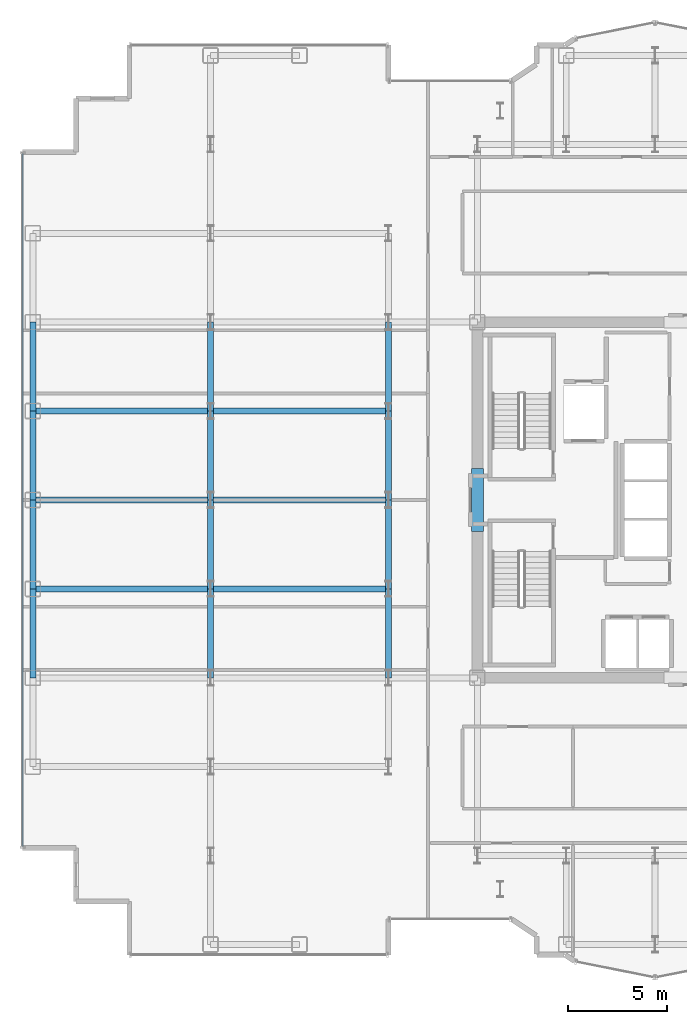
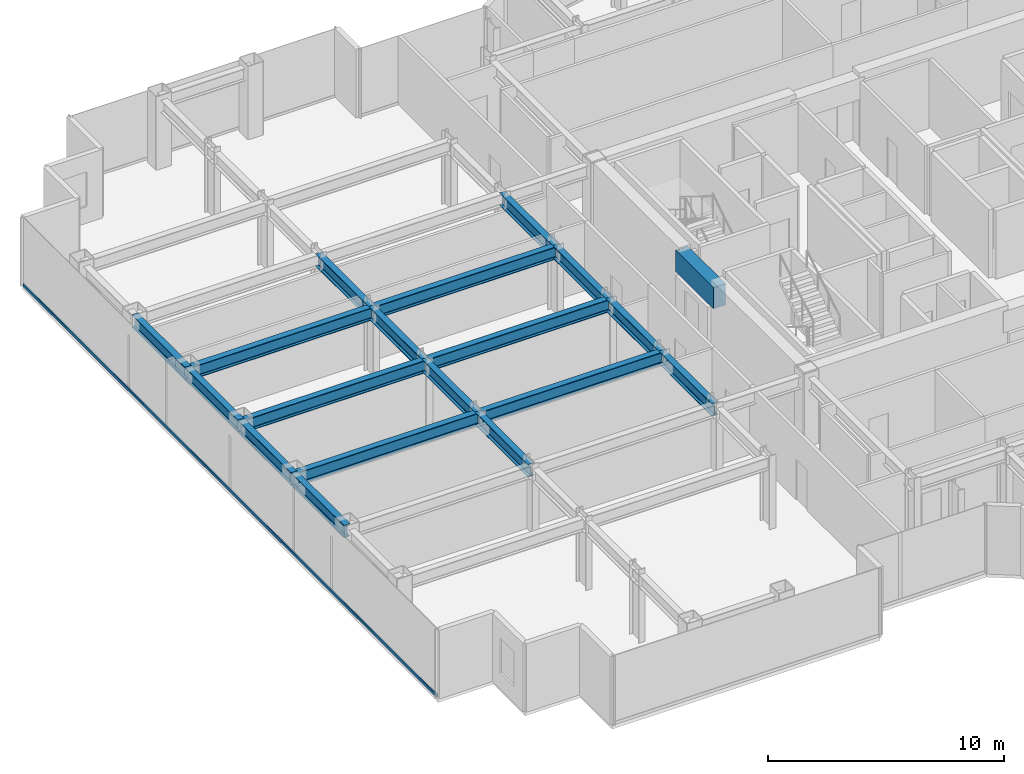
# One storey, part 6 of 23: 19 beams, 1 member, 1 element without a shape of its own.
"""IFC4 building model written with IfcOpenShell, lengths in metres."""

from ifc_helpers import new_model, si_unit, direction, frame, origin, origin_2d, place, context, subcontext, project, spatial, rectangle, hollow_rectangle, i_section, extrude, source, transform, mapped, material, layer, layer_set, material_profile, profile_set, type_object, element, aggregate, save


model = new_model("IFC4")

# Units and contexts
model_context = context("Model", 3, precision=1e-05, world=origin(), true_north=direction((0.0, 1.0)))
body_context = subcontext(model_context, "Body", "Model", "MODEL_VIEW")
ifc_project = project(units=[si_unit("LENGTHUNIT", "METRE"), si_unit("AREAUNIT", "SQUARE_METRE"), si_unit("VOLUMEUNIT", "CUBIC_METRE"), si_unit("PLANEANGLEUNIT", "RADIAN"), si_unit("MASSUNIT", "GRAM", prefix="KILO")], contexts=[model_context])

# Site, building, storey
site_placement = place(None, origin())
site = spatial("IfcSite", under=ifc_project, at=site_placement, CompositionType="ELEMENT")
building_placement = place(site_placement, origin())
building = spatial("IfcBuilding", under=site, at=building_placement, Name="Nefas-Gora Pilgrimage Tower", CompositionType="ELEMENT")
storey_placement = place(building_placement, frame((0.0, 0.0, 190.60009765625)))
storey = spatial("IfcBuildingStorey", under=building, at=storey_placement, Name="L47", CompositionType="ELEMENT", Elevation=190.60009765625)

# Beams
ifc_material_1 = material(Name="Concrete C60/75", Category="concrete")
ifc_material_profile_1 = material_profile(ifc_material_1, rectangle(XDim=0.60009765625, YDim=1.10009765625, at=origin_2d()), Name="RC 600x1100")
ifc_profile_set_1 = profile_set([ifc_material_profile_1], Name="Concrete C60/75")
beam_type_1 = type_object("IfcBeamType", Name="BM-LIN-RC1100", PredefinedType="LINTEL", material=ifc_profile_set_1)
shared_shape_1 = source(origin(), body_context, "Body", "SweptSolid", [
    extrude(rectangle(XDim=0.60009765625, YDim=1.10009765625, at=origin_2d()), origin(), (0.0, 0.0, 1.0), 3.2001953125),
])
beam_placement = place(storey_placement, frame((-11.25, -1.60009765625, 3.0), z_axis=(0.0, 1.0, 0.0), x_axis=(-1.0, 0.0, 0.0)))
element("IfcBeam", 1, at=beam_placement, inside=storey, type_object=beam_type_1, Name="L47 Core Coupling Lintel Beam W", PredefinedType="LINTEL", context=body_context, shape_type="MappedRepresentation", body=[
    mapped(shared_shape_1, transform((0.0, 0.0, 0.0), x_axis=(1.0, 0.0, 0.0), y_axis=(0.0, 1.0, 0.0), z_axis=(0.0, 0.0, 1.0), scale=1.0)),
])
ifc_material_2 = material(Name="Steel S355", Category="steel")
ifc_material_profile_2 = material_profile(ifc_material_2, i_section(OverallWidth=0.300048828125, OverallDepth=0.64990234375, WebThickness=0.01611328125, FlangeThickness=0.031005859375, FilletRadius=0.027099609375, at=origin_2d()), Name="HEB 650")
ifc_profile_set_2 = profile_set([ifc_material_profile_2], Name="Steel S355")
beam_type_2 = type_object("IfcBeamType", Name="BM-SPN-HEB500", PredefinedType="SPANDREL", material=ifc_profile_set_2)
shared_shape_2 = source(origin(), body_context, "Body", "SweptSolid", [
    extrude(i_section(OverallWidth=0.300048828125, OverallDepth=0.64990234375, WebThickness=0.01611328125, FlangeThickness=0.031005859375, FilletRadius=0.027099609375, at=origin_2d()), origin(), (0.0, 0.0, 1.0), 4.5),
])
for number, where, z_axis, x_axis, name in (
    (2, (-33.75, -9.0, 3.224853515625), (0.0, 1.0, 0.0), (-1.0, 0.0, 0.0), "L47 SP-02 beam"),
    (3, (-33.75, -4.5, 3.224853515625), (0.0, 1.0, 0.0), (-1.0, 0.0, 0.0), "L47 SP-02 beam"),
    (4, (-33.75, 0.0, 3.224853515625), (0.0, 1.0, 0.0), (-1.0, 0.0, 0.0), "L47 SP-02 beam"),
    (5, (-33.75, 4.5, 3.224853515625), (0.0, 1.0, 0.0), (-1.0, 0.0, 0.0), "L47 SP-02 beam"),
):
    element("IfcBeam", number, at=place(storey_placement, frame(where, z_axis=z_axis, x_axis=x_axis)), inside=storey, type_object=beam_type_2, Name=name, PredefinedType="SPANDREL", context=body_context, shape_type="MappedRepresentation", body=[
        mapped(shared_shape_2, transform((0.0, 0.0, 0.0), x_axis=(1.0, 0.0, 0.0), y_axis=(0.0, 1.0, 0.0), z_axis=(0.0, 0.0, 1.0), scale=1.0)),
    ])
ifc_material_profile_3 = material_profile(ifc_material_2, i_section(OverallWidth=0.300048828125, OverallDepth=0.64990234375, WebThickness=0.01611328125, FlangeThickness=0.031005859375, FilletRadius=0.027099609375, at=origin_2d()), Name="HEB 650")
ifc_profile_set_3 = profile_set([ifc_material_profile_3], Name="Steel S355")
beam_type_3 = type_object("IfcBeamType", Name="BM-GIR-HEB650", PredefinedType="BEAM", material=ifc_profile_set_3)
shared_shape_3 = source(origin(), body_context, "Body", "SweptSolid", [
    extrude(i_section(OverallWidth=0.300048828125, OverallDepth=0.64990234375, WebThickness=0.01611328125, FlangeThickness=0.031005859375, FilletRadius=0.027099609375, at=origin_2d()), origin(), (0.0, 0.0, 1.0), 9.0),
])
for number, where, z_axis, x_axis, name in (
    (6, (-33.75, -4.5, 3.224853515625), (1.0, 0.0, 0.0), (0.0, 1.0, 0.0), "L47 G-03 beam"),
    (7, (-33.75, 0.0, 3.224853515625), (1.0, 0.0, 0.0), (0.0, 1.0, 0.0), "L47 G-03 beam"),
    (8, (-33.75, 4.5, 3.224853515625), (1.0, 0.0, 0.0), (0.0, 1.0, 0.0), "L47 G-03 beam"),
    (9, (-24.75, -4.5, 3.224853515625), (1.0, 0.0, 0.0), (0.0, 1.0, 0.0), "L47 G-03 beam"),
    (10, (-24.75, 0.0, 3.224853515625), (1.0, 0.0, 0.0), (0.0, 1.0, 0.0), "L47 G-03 beam"),
    (11, (-24.75, 4.5, 3.224853515625), (1.0, 0.0, 0.0), (0.0, 1.0, 0.0), "L47 G-03 beam"),
):
    element("IfcBeam", number, at=place(storey_placement, frame(where, z_axis=z_axis, x_axis=x_axis)), inside=storey, type_object=beam_type_3, Name=name, PredefinedType="BEAM", context=body_context, shape_type="MappedRepresentation", body=[
        mapped(shared_shape_3, transform((0.0, 0.0, 0.0), x_axis=(1.0, 0.0, 0.0), y_axis=(0.0, 1.0, 0.0), z_axis=(0.0, 0.0, 1.0), scale=1.0)),
    ])
shared_shape_4 = source(origin(), body_context, "Body", "SweptSolid", [
    extrude(i_section(OverallWidth=0.300048828125, OverallDepth=0.64990234375, WebThickness=0.01611328125, FlangeThickness=0.031005859375, FilletRadius=0.027099609375, at=origin_2d()), origin(), (0.0, 0.0, 1.0), 4.5),
])
for number, where, z_axis, x_axis, name in (
    (12, (-24.75, -9.0, 3.224853515625), (0.0, 1.0, 0.0), (-1.0, 0.0, 0.0), "L47 G-03 beam"),
    (13, (-24.75, -4.5, 3.224853515625), (0.0, 1.0, 0.0), (-1.0, 0.0, 0.0), "L47 G-03 beam"),
    (14, (-24.75, 0.0, 3.224853515625), (0.0, 1.0, 0.0), (-1.0, 0.0, 0.0), "L47 G-03 beam"),
    (15, (-24.75, 4.5, 3.224853515625), (0.0, 1.0, 0.0), (-1.0, 0.0, 0.0), "L47 G-03 beam"),
    (16, (-15.75, -9.0, 3.224853515625), (0.0, 1.0, 0.0), (-1.0, 0.0, 0.0), "L47 G-03 beam"),
    (17, (-15.75, -4.5, 3.224853515625), (0.0, 1.0, 0.0), (-1.0, 0.0, 0.0), "L47 G-03 beam"),
    (18, (-15.75, 0.0, 3.224853515625), (0.0, 1.0, 0.0), (-1.0, 0.0, 0.0), "L47 G-03 beam"),
    (19, (-15.75, 4.5, 3.224853515625), (0.0, 1.0, 0.0), (-1.0, 0.0, 0.0), "L47 G-03 beam"),
):
    element("IfcBeam", number, at=place(storey_placement, frame(where, z_axis=z_axis, x_axis=x_axis)), inside=storey, type_object=beam_type_3, Name=name, PredefinedType="BEAM", context=body_context, shape_type="MappedRepresentation", body=[
        mapped(shared_shape_4, transform((0.0, 0.0, 0.0), x_axis=(1.0, 0.0, 0.0), y_axis=(0.0, 1.0, 0.0), z_axis=(0.0, 0.0, 1.0), scale=1.0)),
    ])

# Curtain wall, member
ifc_material_3 = material(Name="Dark ceramic-fritted solar-control aluminium-glass curtain wall", Category="aluminium")
ifc_layer = layer(ifc_material_3, 0.219970703125)
ifc_layer_set = layer_set([ifc_layer], Name="Dark ceramic-fritted solar-control aluminium-glass curtain wall")
curtain_wall_type = type_object("IfcCurtainWallType", Name="CW-SYS-3", PredefinedType="NOTDEFINED", material=ifc_layer_set)
curtain_wall_placement = place(storey_placement, origin())
curtain_wall = element("IfcCurtainWall", 20, at=curtain_wall_placement, inside=storey, type_object=curtain_wall_type, Name="L47 Unitised Curtain Wall CW3", PredefinedType="NOTDEFINED")
ifc_material_4 = material(Name="Anodised architectural aluminium", Category="aluminium")
ifc_material_profile_4 = material_profile(ifc_material_4, hollow_rectangle(XDim=0.080078125, YDim=0.159912109375, WallThickness=0.00439453125, InnerFilletRadius=0.00439453125, OuterFilletRadius=0.009033203125, at=origin_2d()), Name="ALU TRANSOM 80x160")
ifc_profile_set_4 = profile_set([ifc_material_profile_4], Name="Anodised architectural aluminium")
member_type = type_object("IfcMemberType", Name="CWM-TRN-3", PredefinedType="USERDEFINED", material=ifc_profile_set_4)
shared_shape_5 = source(origin(), body_context, "Body", "SweptSolid", [
    extrude(hollow_rectangle(XDim=0.080078125, YDim=0.159912109375, WallThickness=0.00439453125, InnerFilletRadius=0.00439453125, OuterFilletRadius=0.009033203125, at=origin_2d()), origin(), (0.0, 0.0, 1.0), 35.06005859375),
])
member_placement = place(storey_placement, frame((-34.27001953125, 17.530029296875, 0.0498046875), z_axis=(0.0, -1.0, 0.0), x_axis=(1.0, 0.0, 0.0)))
member = element("IfcMember", 21, at=member_placement, type_object=member_type, Name="CW3 Spandrel Transom", ObjectType="TRANSOM", PredefinedType="USERDEFINED", context=body_context, shape_type="MappedRepresentation", body=[
    mapped(shared_shape_5, transform((0.0, 0.0, 0.0), x_axis=(1.0, 0.0, 0.0), y_axis=(0.0, 1.0, 0.0), z_axis=(0.0, 0.0, 1.0), scale=1.0)),
])
aggregate(curtain_wall, [member])

save(model, "model.ifc")
